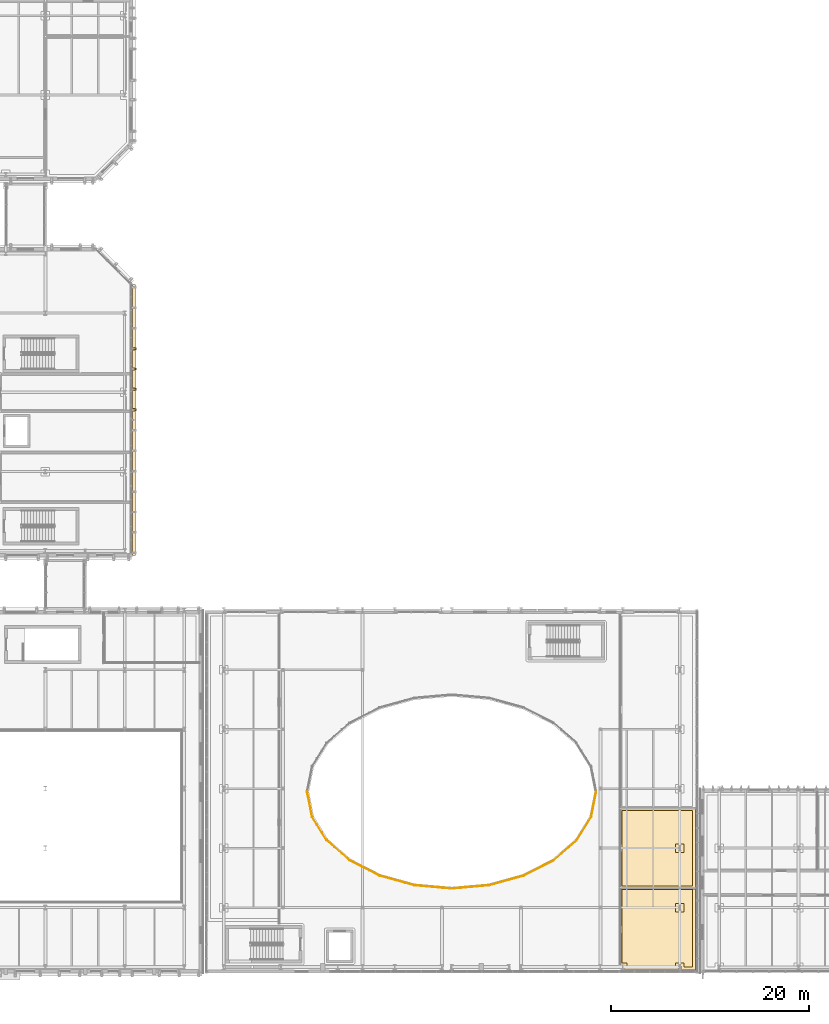
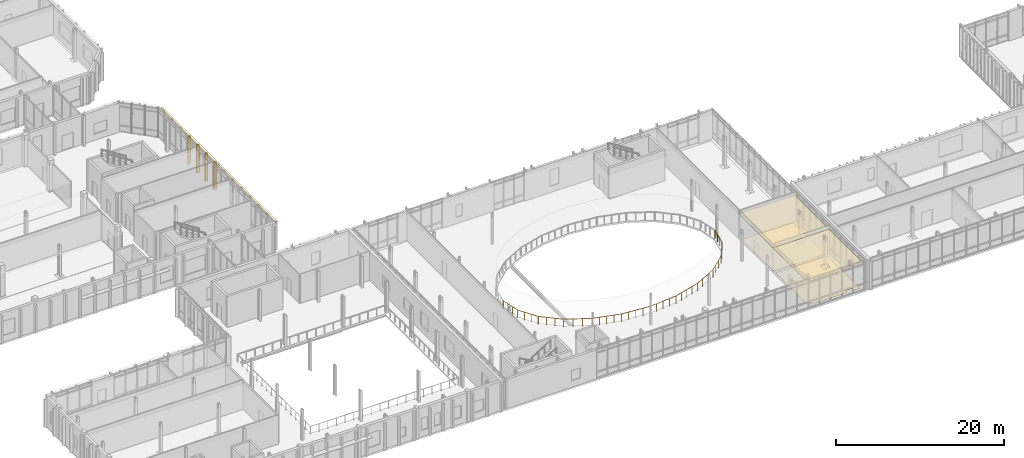
# One storey, part 89 of 100: 9 coverings, 1 railing.
"""IFC4 building model written with IfcOpenShell, lengths in metres."""

from ifc_helpers import new_model, si_unit, direction, frame, origin, origin_2d, place, context, subcontext, project, spatial, polyline, rectangle, circle, outline, extrude, material, layer, layer_set, type_object, element, save


model = new_model("IFC4")

# Units and contexts
model_context = context("Model", 3, precision=1e-05, world=origin(), true_north=direction((0.0, 1.0)))
body_context = subcontext(model_context, "Body", "Model", "MODEL_VIEW")
ifc_project = project(units=[si_unit("LENGTHUNIT", "METRE"), si_unit("AREAUNIT", "SQUARE_METRE"), si_unit("VOLUMEUNIT", "CUBIC_METRE"), si_unit("PLANEANGLEUNIT", "RADIAN"), si_unit("MASSUNIT", "GRAM", prefix="KILO")], contexts=[model_context])

# Site, building, storey
site_placement = place(None, origin())
site = spatial("IfcSite", under=ifc_project, at=site_placement, CompositionType="ELEMENT")
building_placement = place(site_placement, origin())
building = spatial("IfcBuilding", under=site, at=building_placement, Name="Cymarion Research Institute", CompositionType="ELEMENT")
storey_placement = place(building_placement, frame((0.0, 0.0, 9.300048828125)))
storey = spatial("IfcBuildingStorey", under=building, at=storey_placement, Name="L02", CompositionType="ELEMENT", Elevation=9.300048828125)

# Coverings
ifc_material_1 = material(Name="Micro-perforated mineral acoustic ceiling tile", Category="gypsum")
ifc_layer_1 = layer(ifc_material_1, 0.030029296875)
ifc_layer_set_1 = layer_set([ifc_layer_1], Name="Micro-perforated mineral acoustic ceiling tile")
covering_type_1 = type_object("IfcCoveringType", Name="ACOUSTIC MICRO-PERFORATED SUSPENDED CEILING CLG-01", PredefinedType="CEILING", material=ifc_layer_set_1)
covering_1_placement = place(storey_placement, frame((0.0, 0.0, 3.699951171875)))
element("IfcCovering", 1, at=covering_1_placement, inside=storey, type_object=covering_type_1, Name="L02 L02 Accessible WC and Public Washrooms acoustic ceiling", PredefinedType="CEILING", context=body_context, shape_type="SweptSolid", body=[
    extrude(outline(polyline([(104.215087890625, 13.614990234375), (104.215087890625, 5.18505859375), (102.735107421875, 5.18505859375), (102.735107421875, 5.635009765625), (102.465087890625, 5.635009765625), (102.465087890625, 5.18505859375), (96.985107421875, 5.18505859375), (96.985107421875, 5.635009765625), (96.485107421875, 5.635009765625), (96.485107421875, 13.614990234375), (104.215087890625, 13.614990234375)])), origin(), (0.0, 0.0, 1.0), 0.030029296875),
])
covering_2_placement = place(storey_placement, frame((0.0, 0.0, 3.699951171875)))
element("IfcCovering", 2, at=covering_2_placement, inside=storey, type_object=covering_type_1, Name="L02 L02 Colloquium Breakout & Poster Room acoustic ceiling", PredefinedType="CEILING", context=body_context, shape_type="SweptSolid", body=[
    extrude(outline(polyline([(104.215087890625, 21.614990234375), (104.215087890625, 13.385009765625), (96.485107421875, 13.385009765625), (96.485107421875, 21.614990234375), (104.215087890625, 21.614990234375)])), origin(), (0.0, 0.0, 1.0), 0.030029296875),
])

# Railing
ifc_material_2 = material(Name="Steel S355", Category="steel")
railing_type = type_object("IfcRailingType", Name="LAMINATED GLASS AND STEEL BALUSTRADE BAL1 1120MM", PredefinedType="BALUSTRADE", material=ifc_material_2)
railing_placement = place(storey_placement, frame((94.176513671875, 23.1650390625, 0.0)))
element("IfcRailing", 3, at=railing_placement, inside=storey, type_object=railing_type, Name="L02 V2 Interaction Atrium curved gallery balustrade 1", PredefinedType="BALUSTRADE", context=body_context, shape_type="SweptSolid", body=[
    extrude(circle(Radius=0.02392578125, at=origin_2d()), frame((0.0, 0.0, 1.09619140625), z_axis=(-0.193761219039, -0.981048719482, 0.0), x_axis=(0.981048719482, -0.193761219039, 0.0)), (0.0, 0.0, 1.0), 2.53271484375),
    extrude(circle(Radius=0.02392578125, at=origin_2d()), frame((-0.49072265625, -2.484619140625, 1.09619140625), z_axis=(-0.242535625036, -0.970142500145, 0.0), x_axis=(0.970142500145, -0.242535625036, 0.0)), (0.0, 0.0, 1.0), 0.01611328125),
    extrude(circle(Radius=0.02392578125, at=origin_2d()), frame((-0.49462890625, -2.500244140625, 1.09619140625), z_axis=(-0.316227766017, -0.948683298051, 0.0), x_axis=(0.948683298051, -0.316227766017, 0.0)), (0.0, 0.0, 1.0), 0.01611328125),
    extrude(circle(Radius=0.02392578125, at=origin_2d()), frame((-0.499755859375, -2.515625, 1.09619140625), z_axis=(-0.404747112058, -0.914428660575, 0.0), x_axis=(0.914428660575, -0.404747112058, 0.0)), (0.0, 0.0, 1.0), 0.016357421875),
    extrude(circle(Radius=0.02392578125, at=origin_2d()), frame((-0.50634765625, -2.530517578125, 1.09619140625), z_axis=(-0.494524249255, -0.869163832024, 0.0), x_axis=(0.869163832024, -0.494524249255, 0.0)), (0.0, 0.0, 1.0), 0.016357421875),
    extrude(circle(Radius=0.02392578125, at=origin_2d()), frame((-0.514404296875, -2.544677734375, 1.09619140625), z_axis=(-0.527710617744, -0.849424219057, 0.0), x_axis=(0.849424219057, -0.527710617744, 0.0)), (0.0, 0.0, 1.0), 2.725830078125),
    extrude(circle(Radius=0.02392578125, at=origin_2d()), frame((-1.952880859375, -4.860107421875, 1.09619140625), z_axis=(-0.573462344363, -0.819231920519, 0.0), x_axis=(0.819231920519, -0.573462344363, 0.0)), (0.0, 0.0, 1.0), 0.017822265625),
    extrude(circle(Radius=0.02392578125, at=origin_2d()), frame((-1.963134765625, -4.874755859375, 1.09619140625), z_axis=(-0.64287124875, -0.76597425383, 0.0), x_axis=(0.76597425383, -0.64287124875, 0.0)), (0.0, 0.0, 1.0), 0.017822265625),
    extrude(circle(Radius=0.02392578125, at=origin_2d()), frame((-1.974609375, -4.888427734375, 1.09619140625), z_axis=(-0.720571759014, -0.693380371882, 0.0), x_axis=(0.693380371882, -0.720571759014, 0.0)), (0.0, 0.0, 1.0), 0.01806640625),
    extrude(circle(Radius=0.02392578125, at=origin_2d()), frame((-1.987548828125, -4.90087890625, 1.09619140625), z_axis=(-0.75489671138, -0.655843697192, 0.0), x_axis=(0.655843697192, -0.75489671138, 0.0)), (0.0, 0.0, 1.0), 3.03173828125),
    extrude(circle(Radius=0.02392578125, at=origin_2d()), frame((-4.276123046875, -6.88916015625, 1.09619140625), z_axis=(-0.795946119382, -0.605367471079, 0.0), x_axis=(0.605367471079, -0.795946119382, 0.0)), (0.0, 0.0, 1.0), 0.021728515625),
    extrude(circle(Radius=0.02392578125, at=origin_2d()), frame((-4.29345703125, -6.90234375, 1.09619140625), z_axis=(-0.863371944127, -0.504568019295, 0.0), x_axis=(0.504568019295, -0.863371944127, 0.0)), (0.0, 0.0, 1.0), 0.021728515625),
    extrude(circle(Radius=0.02392578125, at=origin_2d()), frame((-4.312255859375, -6.913330078125, 1.09619140625), z_axis=(-0.890263969865, -0.455444907711, 0.0), x_axis=(0.455444907711, -0.890263969865, 0.0)), (0.0, 0.0, 1.0), 3.349853515625),
    extrude(circle(Radius=0.02392578125, at=origin_2d()), frame((-7.29443359375, -8.43896484375, 1.09619140625), z_axis=(-0.912168696111, -0.409814921441, 0.0), x_axis=(0.409814921441, -0.912168696111, 0.0)), (0.0, 0.0, 1.0), 0.0185546875),
    extrude(circle(Radius=0.02392578125, at=origin_2d()), frame((-7.311279296875, -8.446533203125, 1.09619140625), z_axis=(-0.947340570768, -0.32022779857, 0.0), x_axis=(0.32022779857, -0.947340570768, 0.0)), (0.0, 0.0, 1.0), 0.018310546875),
    extrude(circle(Radius=0.02392578125, at=origin_2d()), frame((-7.32861328125, -8.452392578125, 1.09619140625), z_axis=(-0.963925498636, -0.266172186899, 0.0), x_axis=(0.266172186899, -0.963925498636, 0.0)), (0.0, 0.0, 1.0), 3.602783203125),
    extrude(circle(Radius=0.02392578125, at=origin_2d()), frame((-10.801513671875, -9.411376953125, 1.09619140625), z_axis=(-0.975132855791, -0.221621103589, 0.0), x_axis=(0.221621103589, -0.975132855791, 0.0)), (0.0, 0.0, 1.0), 0.0166015625),
    extrude(circle(Radius=0.02392578125, at=origin_2d()), frame((-10.817626953125, -9.4150390625, 1.09619140625), z_axis=(-0.990830168044, -0.135113204733, 0.0), x_axis=(0.135113204733, -0.990830168044, 0.0)), (0.0, 0.0, 1.0), 0.016357421875),
    extrude(circle(Radius=0.02392578125, at=origin_2d()), frame((-10.833740234375, -9.417236328125, 1.09619140625), z_axis=(-0.996169739576, -0.087440550965, 0.0), x_axis=(0.087440550965, -0.996169739576, 0.0)), (0.0, 0.0, 1.0), 3.741455078125),
    extrude(circle(Radius=0.02392578125, at=origin_2d()), frame((-14.560791015625, -9.744384765625, 1.09619140625), z_axis=(-0.99890317437, -0.046823586299, 0.0), x_axis=(0.046823586299, -0.99890317437, 0.0)), (0.0, 0.0, 1.0), 0.015625),
    extrude(circle(Radius=0.02392578125, at=origin_2d()), frame((-14.576416015625, -9.7451171875, 1.09619140625), z_axis=(-0.998936609849, 0.046104766608, 0.0), x_axis=(-0.046104766608, -0.998936609849, 0.0)), (0.0, 0.0, 1.0), 0.015869140625),
    extrude(circle(Radius=0.02392578125, at=origin_2d()), frame((-14.59228515625, -9.744384765625, 1.09619140625), z_axis=(-0.996169240604, 0.087446235336, 0.0), x_axis=(-0.087446235336, -0.996169240604, 0.0)), (0.0, 0.0, 1.0), 3.7412109375),
    extrude(circle(Radius=0.02392578125, at=origin_2d()), frame((-18.319091796875, -9.417236328125, 1.09619140625), z_axis=(-0.991098234869, 0.133132598714, 0.0), x_axis=(-0.133132598714, -0.991098234869, 0.0)), (0.0, 0.0, 1.0), 0.0166015625),
    extrude(circle(Radius=0.02392578125, at=origin_2d()), frame((-18.33544921875, -9.4150390625, 1.09619140625), z_axis=(-0.974391195695, 0.224859506699, 0.0), x_axis=(-0.224859506699, -0.974391195695, 0.0)), (0.0, 0.0, 1.0), 0.016357421875),
    extrude(circle(Radius=0.02392578125, at=origin_2d()), frame((-18.351318359375, -9.411376953125, 1.09619140625), z_axis=(-0.963930298998, 0.266154802085, 0.0), x_axis=(-0.266154802085, -0.963930298998, 0.0)), (0.0, 0.0, 1.0), 3.60302734375),
    extrude(circle(Radius=0.02392578125, at=origin_2d()), frame((-21.824462890625, -8.452392578125, 1.09619140625), z_axis=(-0.947340570768, 0.32022779857, 0.0), x_axis=(-0.32022779857, -0.947340570768, 0.0)), (0.0, 0.0, 1.0), 0.018310546875),
    extrude(circle(Radius=0.02392578125, at=origin_2d()), frame((-21.841796875, -8.446533203125, 1.09619140625), z_axis=(-0.90990766598, 0.414810847726, 0.0), x_axis=(-0.414810847726, -0.90990766598, 0.0)), (0.0, 0.0, 1.0), 0.018310546875),
    extrude(circle(Radius=0.02392578125, at=origin_2d()), frame((-21.8583984375, -8.43896484375, 1.09619140625), z_axis=(-0.890279086487, 0.455415357847, 0.0), x_axis=(-0.455415357847, -0.890279086487, 0.0)), (0.0, 0.0, 1.0), 3.35009765625),
    extrude(circle(Radius=0.02392578125, at=origin_2d()), frame((-24.8408203125, -6.913330078125, 1.09619140625), z_axis=(-0.863371944127, 0.504568019295, 0.0), x_axis=(-0.504568019295, -0.863371944127, 0.0)), (0.0, 0.0, 1.0), 0.021728515625),
    extrude(circle(Radius=0.02392578125, at=origin_2d()), frame((-24.859619140625, -6.90234375, 1.09619140625), z_axis=(-0.795946119382, 0.605367471079, 0.0), x_axis=(-0.605367471079, -0.795946119382, 0.0)), (0.0, 0.0, 1.0), 0.021728515625),
    extrude(circle(Radius=0.02392578125, at=origin_2d()), frame((-24.876953125, -6.88916015625, 1.09619140625), z_axis=(-0.75489671138, 0.655843697192, 0.0), x_axis=(-0.655843697192, -0.75489671138, 0.0)), (0.0, 0.0, 1.0), 3.03173828125),
    extrude(circle(Radius=0.02392578125, at=origin_2d()), frame((-27.16552734375, -4.90087890625, 1.09619140625), z_axis=(-0.713938248596, 0.700208666892, 0.0), x_axis=(-0.700208666892, -0.713938248596, 0.0)), (0.0, 0.0, 1.0), 0.017822265625),
    extrude(circle(Radius=0.02392578125, at=origin_2d()), frame((-27.17822265625, -4.888427734375, 1.09619140625), z_axis=(-0.650791373456, 0.759256602365, 0.0), x_axis=(-0.759256602365, -0.650791373456, 0.0)), (0.0, 0.0, 1.0), 0.01806640625),
    extrude(circle(Radius=0.02392578125, at=origin_2d()), frame((-27.18994140625, -4.874755859375, 1.09619140625), z_axis=(-0.573462344363, 0.819231920519, 0.0), x_axis=(-0.819231920519, -0.573462344363, 0.0)), (0.0, 0.0, 1.0), 0.017822265625),
    extrude(circle(Radius=0.02392578125, at=origin_2d()), frame((-27.2001953125, -4.860107421875, 1.09619140625), z_axis=(-0.527710617744, 0.849424219057, 0.0), x_axis=(-0.849424219057, -0.527710617744, 0.0)), (0.0, 0.0, 1.0), 2.725830078125),
    extrude(circle(Radius=0.02392578125, at=origin_2d()), frame((-28.638671875, -2.544677734375, 1.09619140625), z_axis=(-0.494524249255, 0.869163832024, 0.0), x_axis=(-0.869163832024, -0.494524249255, 0.0)), (0.0, 0.0, 1.0), 0.016357421875),
    extrude(circle(Radius=0.02392578125, at=origin_2d()), frame((-28.646728515625, -2.530517578125, 1.09619140625), z_axis=(-0.404747112058, 0.914428660575, 0.0), x_axis=(-0.914428660575, -0.404747112058, 0.0)), (0.0, 0.0, 1.0), 0.016357421875),
    extrude(circle(Radius=0.02392578125, at=origin_2d()), frame((-28.6533203125, -2.515625, 1.09619140625), z_axis=(-0.316227766017, 0.948683298051, 0.0), x_axis=(-0.948683298051, -0.316227766017, 0.0)), (0.0, 0.0, 1.0), 0.01611328125),
    extrude(circle(Radius=0.02392578125, at=origin_2d()), frame((-28.658447265625, -2.500244140625, 1.09619140625), z_axis=(-0.242535625036, 0.970142500145, 0.0), x_axis=(-0.970142500145, -0.242535625036, 0.0)), (0.0, 0.0, 1.0), 0.01611328125),
    extrude(circle(Radius=0.02392578125, at=origin_2d()), frame((-28.662353515625, -2.484619140625, 1.09619140625), z_axis=(-0.193761219039, 0.981048719482, 0.0), x_axis=(-0.981048719482, -0.193761219039, 0.0)), (0.0, 0.0, 1.0), 2.53271484375),
    extrude(circle(Radius=0.02392578125, at=origin_2d()), frame((-29.153076171875, 0.0, 1.09619140625), z_axis=(-0.137568371275, 0.990492273178, 0.0), x_axis=(-0.990492273178, -0.137568371275, 0.0)), (0.0, 0.0, 1.0), 0.017822265625),
    extrude(circle(Radius=0.02392578125, at=origin_2d()), frame((-29.155517578125, 0.017578125, 1.09619140625), z_axis=(-0.056248832739, 0.998416781117, 0.0), x_axis=(-0.998416781117, -0.056248832739, 0.0)), (0.0, 0.0, 1.0), 0.017333984375),
    extrude(circle(Radius=0.02392578125, at=origin_2d()), frame((-29.156494140625, 0.034912109375, 1.09619140625), z_axis=(0.055470019623, 0.998460353205, 0.0), x_axis=(-0.998460353205, 0.055470019623, 0.0)), (0.0, 0.0, 1.0), 0.017578125),
    extrude(circle(Radius=0.02392578125, at=origin_2d()), frame((-29.155517578125, 0.052490234375, 1.09619140625), z_axis=(0.139468521846, 0.990226505106, 0.0), x_axis=(-0.990226505106, 0.139468521846, 0.0)), (0.0, 0.0, 1.0), 0.017578125),
    extrude(circle(Radius=0.02099609375, at=origin_2d()), origin(), (0.0, 0.0, 1.0), 1.072021484375),
    extrude(circle(Radius=0.02099609375, at=origin_2d()), frame((-0.16357421875, -0.828125, 0.0)), (0.0, 0.0, 1.0), 1.072021484375),
    extrude(circle(Radius=0.02099609375, at=origin_2d()), frame((-0.3271484375, -1.656494140625, 0.0)), (0.0, 0.0, 1.0), 1.072021484375),
    extrude(circle(Radius=0.02099609375, at=origin_2d()), frame((-0.49072265625, -2.484619140625, 0.0)), (0.0, 0.0, 1.0), 1.072021484375),
    extrude(circle(Radius=0.02099609375, at=origin_2d()), frame((-0.49462890625, -2.500244140625, 0.0)), (0.0, 0.0, 1.0), 1.072021484375),
    extrude(circle(Radius=0.02099609375, at=origin_2d()), frame((-0.499755859375, -2.515625, 0.0)), (0.0, 0.0, 1.0), 1.072021484375),
    extrude(circle(Radius=0.02099609375, at=origin_2d()), frame((-0.50634765625, -2.530517578125, 0.0)), (0.0, 0.0, 1.0), 1.072021484375),
    extrude(circle(Radius=0.02099609375, at=origin_2d()), frame((-0.514404296875, -2.544677734375, 0.0)), (0.0, 0.0, 1.0), 1.072021484375),
    extrude(circle(Radius=0.02099609375, at=origin_2d()), frame((-0.993896484375, -3.31640625, 0.0)), (0.0, 0.0, 1.0), 1.072021484375),
    extrude(circle(Radius=0.02099609375, at=origin_2d()), frame((-1.473388671875, -4.08837890625, 0.0)), (0.0, 0.0, 1.0), 1.072021484375),
    extrude(circle(Radius=0.02099609375, at=origin_2d()), frame((-1.952880859375, -4.860107421875, 0.0)), (0.0, 0.0, 1.0), 1.072021484375),
    extrude(circle(Radius=0.02099609375, at=origin_2d()), frame((-1.963134765625, -4.874755859375, 0.0)), (0.0, 0.0, 1.0), 1.072021484375),
    extrude(circle(Radius=0.02099609375, at=origin_2d()), frame((-1.974609375, -4.888427734375, 0.0)), (0.0, 0.0, 1.0), 1.072021484375),
    extrude(circle(Radius=0.02099609375, at=origin_2d()), frame((-1.987548828125, -4.90087890625, 0.0)), (0.0, 0.0, 1.0), 1.072021484375),
    extrude(circle(Radius=0.02099609375, at=origin_2d()), frame((-2.75048828125, -5.563720703125, 0.0)), (0.0, 0.0, 1.0), 1.072021484375),
    extrude(circle(Radius=0.02099609375, at=origin_2d()), frame((-3.51318359375, -6.226318359375, 0.0)), (0.0, 0.0, 1.0), 1.072021484375),
    extrude(circle(Radius=0.02099609375, at=origin_2d()), frame((-4.276123046875, -6.88916015625, 0.0)), (0.0, 0.0, 1.0), 1.072021484375),
    extrude(circle(Radius=0.02099609375, at=origin_2d()), frame((-4.29345703125, -6.90234375, 0.0)), (0.0, 0.0, 1.0), 1.072021484375),
    extrude(circle(Radius=0.02099609375, at=origin_2d()), frame((-4.312255859375, -6.913330078125, 0.0)), (0.0, 0.0, 1.0), 1.072021484375),
    extrude(circle(Radius=0.02099609375, at=origin_2d()), frame((-5.306396484375, -7.421875, 0.0)), (0.0, 0.0, 1.0), 1.072021484375),
    extrude(circle(Radius=0.02099609375, at=origin_2d()), frame((-6.30029296875, -7.930419921875, 0.0)), (0.0, 0.0, 1.0), 1.072021484375),
    extrude(circle(Radius=0.02099609375, at=origin_2d()), frame((-7.29443359375, -8.43896484375, 0.0)), (0.0, 0.0, 1.0), 1.072021484375),
    extrude(circle(Radius=0.02099609375, at=origin_2d()), frame((-7.311279296875, -8.446533203125, 0.0)), (0.0, 0.0, 1.0), 1.072021484375),
    extrude(circle(Radius=0.02099609375, at=origin_2d()), frame((-7.32861328125, -8.452392578125, 0.0)), (0.0, 0.0, 1.0), 1.072021484375),
    extrude(circle(Radius=0.02099609375, at=origin_2d()), frame((-8.19677734375, -8.692138671875, 0.0)), (0.0, 0.0, 1.0), 1.072021484375),
    extrude(circle(Radius=0.02099609375, at=origin_2d()), frame((-9.06494140625, -8.931884765625, 0.0)), (0.0, 0.0, 1.0), 1.072021484375),
    extrude(circle(Radius=0.02099609375, at=origin_2d()), frame((-9.933349609375, -9.171630859375, 0.0)), (0.0, 0.0, 1.0), 1.072021484375),
    extrude(circle(Radius=0.02099609375, at=origin_2d()), frame((-10.801513671875, -9.411376953125, 0.0)), (0.0, 0.0, 1.0), 1.072021484375),
    extrude(circle(Radius=0.02099609375, at=origin_2d()), frame((-10.817626953125, -9.4150390625, 0.0)), (0.0, 0.0, 1.0), 1.072021484375),
    extrude(circle(Radius=0.02099609375, at=origin_2d()), frame((-10.833740234375, -9.417236328125, 0.0)), (0.0, 0.0, 1.0), 1.072021484375),
    extrude(circle(Radius=0.02099609375, at=origin_2d()), frame((-11.765625, -9.4990234375, 0.0)), (0.0, 0.0, 1.0), 1.072021484375),
    extrude(circle(Radius=0.02099609375, at=origin_2d()), frame((-12.697265625, -9.580810546875, 0.0)), (0.0, 0.0, 1.0), 1.072021484375),
    extrude(circle(Radius=0.02099609375, at=origin_2d()), frame((-13.62890625, -9.66259765625, 0.0)), (0.0, 0.0, 1.0), 1.072021484375),
    extrude(circle(Radius=0.02099609375, at=origin_2d()), frame((-14.560791015625, -9.744384765625, 0.0)), (0.0, 0.0, 1.0), 1.072021484375),
    extrude(circle(Radius=0.02099609375, at=origin_2d()), frame((-14.576416015625, -9.7451171875, 0.0)), (0.0, 0.0, 1.0), 1.072021484375),
    extrude(circle(Radius=0.02099609375, at=origin_2d()), frame((-14.59228515625, -9.744384765625, 0.0)), (0.0, 0.0, 1.0), 1.072021484375),
    extrude(circle(Radius=0.02099609375, at=origin_2d()), frame((-15.52392578125, -9.66259765625, 0.0)), (0.0, 0.0, 1.0), 1.072021484375),
    extrude(circle(Radius=0.02099609375, at=origin_2d()), frame((-16.45556640625, -9.580810546875, 0.0)), (0.0, 0.0, 1.0), 1.072021484375),
    extrude(circle(Radius=0.02099609375, at=origin_2d()), frame((-17.387451171875, -9.4990234375, 0.0)), (0.0, 0.0, 1.0), 1.072021484375),
    extrude(circle(Radius=0.02099609375, at=origin_2d()), frame((-18.319091796875, -9.417236328125, 0.0)), (0.0, 0.0, 1.0), 1.072021484375),
    extrude(circle(Radius=0.02099609375, at=origin_2d()), frame((-18.33544921875, -9.4150390625, 0.0)), (0.0, 0.0, 1.0), 1.072021484375),
    extrude(circle(Radius=0.02099609375, at=origin_2d()), frame((-18.351318359375, -9.411376953125, 0.0)), (0.0, 0.0, 1.0), 1.072021484375),
    extrude(circle(Radius=0.02099609375, at=origin_2d()), frame((-19.2197265625, -9.171630859375, 0.0)), (0.0, 0.0, 1.0), 1.072021484375),
    extrude(circle(Radius=0.02099609375, at=origin_2d()), frame((-20.087890625, -8.931884765625, 0.0)), (0.0, 0.0, 1.0), 1.072021484375),
    extrude(circle(Radius=0.02099609375, at=origin_2d()), frame((-20.9560546875, -8.692138671875, 0.0)), (0.0, 0.0, 1.0), 1.072021484375),
    extrude(circle(Radius=0.02099609375, at=origin_2d()), frame((-21.824462890625, -8.452392578125, 0.0)), (0.0, 0.0, 1.0), 1.072021484375),
    extrude(circle(Radius=0.02099609375, at=origin_2d()), frame((-21.841796875, -8.446533203125, 0.0)), (0.0, 0.0, 1.0), 1.072021484375),
    extrude(circle(Radius=0.02099609375, at=origin_2d()), frame((-21.8583984375, -8.43896484375, 0.0)), (0.0, 0.0, 1.0), 1.072021484375),
    extrude(circle(Radius=0.02099609375, at=origin_2d()), frame((-22.8525390625, -7.930419921875, 0.0)), (0.0, 0.0, 1.0), 1.072021484375),
    extrude(circle(Radius=0.02099609375, at=origin_2d()), frame((-23.8466796875, -7.421875, 0.0)), (0.0, 0.0, 1.0), 1.072021484375),
    extrude(circle(Radius=0.02099609375, at=origin_2d()), frame((-24.8408203125, -6.913330078125, 0.0)), (0.0, 0.0, 1.0), 1.072021484375),
    extrude(circle(Radius=0.02099609375, at=origin_2d()), frame((-24.859619140625, -6.90234375, 0.0)), (0.0, 0.0, 1.0), 1.072021484375),
    extrude(circle(Radius=0.02099609375, at=origin_2d()), frame((-24.876953125, -6.88916015625, 0.0)), (0.0, 0.0, 1.0), 1.072021484375),
    extrude(circle(Radius=0.02099609375, at=origin_2d()), frame((-25.639892578125, -6.226318359375, 0.0)), (0.0, 0.0, 1.0), 1.072021484375),
    extrude(circle(Radius=0.02099609375, at=origin_2d()), frame((-26.402587890625, -5.563720703125, 0.0)), (0.0, 0.0, 1.0), 1.072021484375),
    extrude(circle(Radius=0.02099609375, at=origin_2d()), frame((-27.16552734375, -4.90087890625, 0.0)), (0.0, 0.0, 1.0), 1.072021484375),
    extrude(circle(Radius=0.02099609375, at=origin_2d()), frame((-27.17822265625, -4.888427734375, 0.0)), (0.0, 0.0, 1.0), 1.072021484375),
    extrude(circle(Radius=0.02099609375, at=origin_2d()), frame((-27.18994140625, -4.874755859375, 0.0)), (0.0, 0.0, 1.0), 1.072021484375),
    extrude(circle(Radius=0.02099609375, at=origin_2d()), frame((-27.2001953125, -4.860107421875, 0.0)), (0.0, 0.0, 1.0), 1.072021484375),
    extrude(circle(Radius=0.02099609375, at=origin_2d()), frame((-27.6796875, -4.08837890625, 0.0)), (0.0, 0.0, 1.0), 1.072021484375),
    extrude(circle(Radius=0.02099609375, at=origin_2d()), frame((-28.1591796875, -3.31640625, 0.0)), (0.0, 0.0, 1.0), 1.072021484375),
    extrude(circle(Radius=0.02099609375, at=origin_2d()), frame((-28.638671875, -2.544677734375, 0.0)), (0.0, 0.0, 1.0), 1.072021484375),
    extrude(circle(Radius=0.02099609375, at=origin_2d()), frame((-28.646728515625, -2.530517578125, 0.0)), (0.0, 0.0, 1.0), 1.072021484375),
    extrude(circle(Radius=0.02099609375, at=origin_2d()), frame((-28.6533203125, -2.515625, 0.0)), (0.0, 0.0, 1.0), 1.072021484375),
    extrude(circle(Radius=0.02099609375, at=origin_2d()), frame((-28.658447265625, -2.500244140625, 0.0)), (0.0, 0.0, 1.0), 1.072021484375),
    extrude(circle(Radius=0.02099609375, at=origin_2d()), frame((-28.662353515625, -2.484619140625, 0.0)), (0.0, 0.0, 1.0), 1.072021484375),
    extrude(circle(Radius=0.02099609375, at=origin_2d()), frame((-28.825927734375, -1.656494140625, 0.0)), (0.0, 0.0, 1.0), 1.072021484375),
    extrude(circle(Radius=0.02099609375, at=origin_2d()), frame((-28.989501953125, -0.828125, 0.0)), (0.0, 0.0, 1.0), 1.072021484375),
    extrude(circle(Radius=0.02099609375, at=origin_2d()), frame((-29.153076171875, 0.0, 0.0)), (0.0, 0.0, 1.0), 1.072021484375),
    extrude(circle(Radius=0.02099609375, at=origin_2d()), frame((-29.155517578125, 0.017578125, 0.0)), (0.0, 0.0, 1.0), 1.072021484375),
    extrude(circle(Radius=0.02099609375, at=origin_2d()), frame((-29.156494140625, 0.034912109375, 0.0)), (0.0, 0.0, 1.0), 1.072021484375),
    extrude(circle(Radius=0.02099609375, at=origin_2d()), frame((-29.155517578125, 0.052490234375, 0.0)), (0.0, 0.0, 1.0), 1.072021484375),
    extrude(circle(Radius=0.02099609375, at=origin_2d()), frame((-29.153076171875, 0.06982421875, 0.0)), (0.0, 0.0, 1.0), 1.072021484375),
])

# Coverings
ifc_material_3 = material(Name="Precast concrete C45/55 architectural white", Category="concrete")
ifc_layer_2 = layer(ifc_material_3, 0.260009765625)
ifc_layer_set_2 = layer_set([ifc_layer_2], Name="Precast concrete C45/55 architectural white")
covering_type_2 = type_object("IfcCoveringType", Name="SCULPTURAL WHITE PRECAST CONCRETE SPANDREL BROW BAND RIB2 280MM", PredefinedType="CLADDING", material=ifc_layer_set_2)
covering_3_placement = place(storey_placement, frame((47.5419921875, 60.699951171875, 4.08984375), z_axis=(0.0, 0.0, 1.0), x_axis=(1.0, 0.0, 0.0)))
element("IfcCovering", 4, at=covering_3_placement, inside=storey, type_object=covering_type_2, Name="L02 V4 precast spandrel brow band RIB2 #534", PredefinedType="CLADDING", context=body_context, shape_type="SweptSolid", body=[
    extrude(rectangle(XDim=0.280029296875, YDim=27.360107421875, at=origin_2d()), origin(), (0.0, 0.0, 1.0), 0.260009765625),
])
ifc_layer_3 = layer(ifc_material_3, 0.199951171875)
ifc_layer_set_3 = layer_set([ifc_layer_3], Name="Precast concrete C45/55 architectural white")
covering_type_3 = type_object("IfcCoveringType", Name="SCULPTURAL WHITE PRECAST CONCRETE VERTICAL RIB RIB1 380X200", PredefinedType="CLADDING", material=ifc_layer_set_3)
for number, where, z_axis, x_axis, name in (
    (5, (47.592041015625, 61.730712890625, 0.009765625), (0.0, 0.0, 1.0), (1.0, 0.0, 0.0), "L02 V4 sculptural precast vertical rib RIB1 #542"),
    (6, (47.592041015625, 63.792236328125, 0.009765625), (0.0, 0.0, 1.0), (1.0, 0.0, 0.0), "L02 V4 sculptural precast vertical rib RIB1 #543"),
    (7, (47.592041015625, 65.853759765625, 0.009765625), (0.0, 0.0, 1.0), (1.0, 0.0, 0.0), "L02 V4 sculptural precast vertical rib RIB1 #544"),
    (8, (47.592041015625, 67.915283203125, 0.009765625), (0.0, 0.0, 1.0), (1.0, 0.0, 0.0), "L02 V4 sculptural precast vertical rib RIB1 #545"),
):
    element("IfcCovering", number, at=place(storey_placement, frame(where, z_axis=z_axis, x_axis=x_axis)), inside=storey, type_object=covering_type_3, Name=name, PredefinedType="CLADDING", context=body_context, shape_type="SweptSolid", body=[
        extrude(rectangle(XDim=0.3798828125, YDim=0.199951171875, at=origin_2d()), origin(), (0.0, 0.0, 1.0), 4.074951171875),
    ])
ifc_material_4 = material(Name="Seamless dissipative epoxy resin flooring", Category="resin")
ifc_layer_4 = layer(ifc_material_4, 0.02001953125)
ifc_layer_set_4 = layer_set([ifc_layer_4], Name="Seamless dissipative epoxy resin flooring")
covering_type_4 = type_object("IfcCoveringType", Name="SEAMLESS ESD EPOXY LABORATORY FLOORING FLR-01", PredefinedType="FLOORING", material=ifc_layer_set_4)
covering_4_placement = place(storey_placement, origin())
element("IfcCovering", 9, at=covering_4_placement, inside=storey, type_object=covering_type_4, Name="L02 L02 Accessible WC and Public Washrooms ESD epoxy flooring", PredefinedType="FLOORING", context=body_context, shape_type="SweptSolid", body=[
    extrude(outline(polyline([(96.784912109375, 13.31494140625), (103.9150390625, 13.31494140625), (103.9150390625, 5.485107421875), (103.034912109375, 5.485107421875), (103.034912109375, 5.93505859375), (102.1650390625, 5.93505859375), (102.1650390625, 5.485107421875), (97.284912109375, 5.485107421875), (97.284912109375, 5.93505859375), (96.784912109375, 5.93505859375), (96.784912109375, 13.31494140625)]), holes=[polyline([(103.034912109375, 11.93505859375), (102.1650390625, 11.93505859375), (102.1650390625, 11.06494140625), (103.034912109375, 11.06494140625), (103.034912109375, 11.93505859375)])]), origin(), (0.0, 0.0, 1.0), 0.02001953125),
])
covering_5_placement = place(storey_placement, origin())
element("IfcCovering", 10, at=covering_5_placement, inside=storey, type_object=covering_type_4, Name="L02 L02 Colloquium Breakout & Poster Room ESD epoxy flooring", PredefinedType="FLOORING", context=body_context, shape_type="SweptSolid", body=[
    extrude(outline(polyline([(96.784912109375, 21.31494140625), (103.9150390625, 21.31494140625), (103.9150390625, 13.68505859375), (96.784912109375, 13.68505859375), (96.784912109375, 21.31494140625)]), holes=[polyline([(103.034912109375, 17.93505859375), (102.1650390625, 17.93505859375), (102.1650390625, 17.06494140625), (103.034912109375, 17.06494140625), (103.034912109375, 17.93505859375)])]), origin(), (0.0, 0.0, 1.0), 0.02001953125),
])

save(model, "model.ifc")
